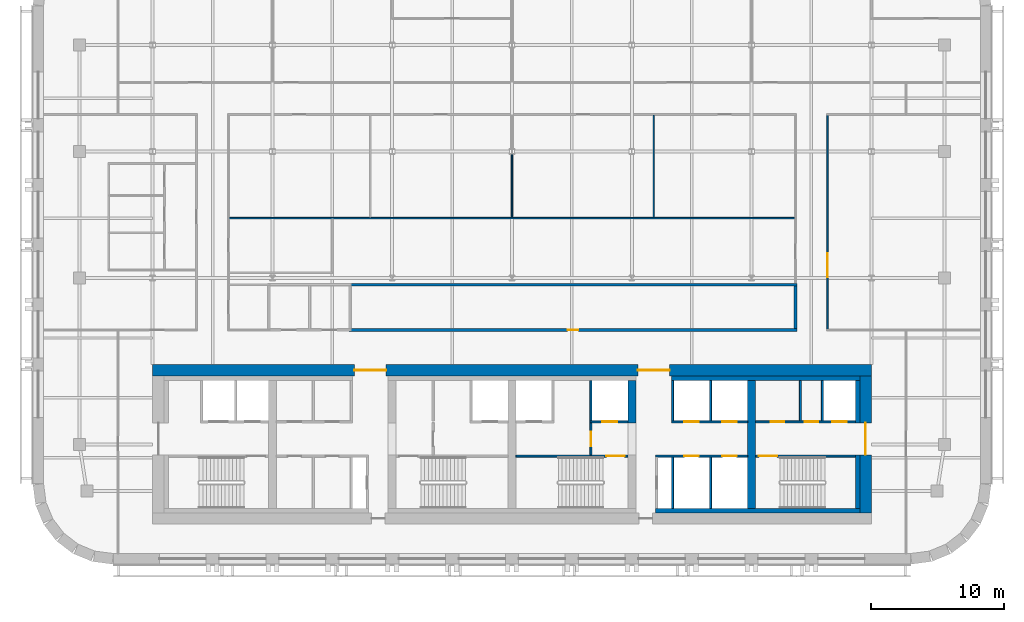
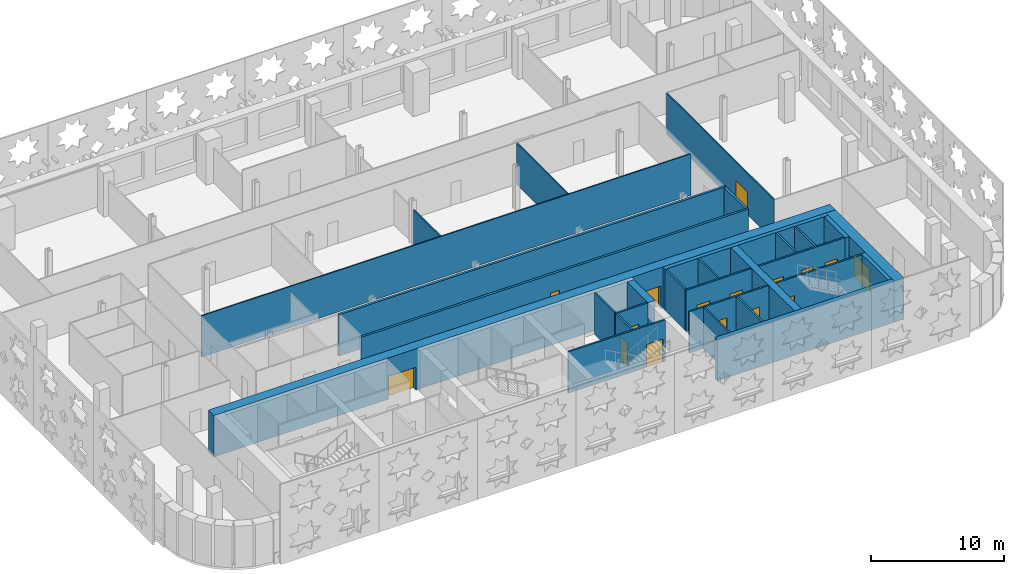
# One storey, part 5 of 12: 29 walls, 16 doors, 16 openings.
"""IFC4 building model written with IfcOpenShell, lengths in metres."""

from ifc_helpers import new_model, si_unit, direction, frame, frame_2d, origin, place, context, subcontext, project, spatial, rectangle, extrude, material, layer, layer_set, type_object, element, fill, save


model = new_model("IFC4")

# Units and contexts
model_context = context("Model", 3, precision=1e-05, world=origin(), true_north=direction((0.0, 1.0)))
body_context = subcontext(model_context, "Body", "Model", "MODEL_VIEW")
ifc_project = project(units=[si_unit("LENGTHUNIT", "METRE"), si_unit("AREAUNIT", "SQUARE_METRE"), si_unit("VOLUMEUNIT", "CUBIC_METRE"), si_unit("PLANEANGLEUNIT", "RADIAN"), si_unit("MASSUNIT", "GRAM", prefix="KILO")], contexts=[model_context])

# Site, building, storey
site_placement = place(None, origin())
site = spatial("IfcSite", under=ifc_project, at=site_placement, CompositionType="ELEMENT")
building_placement = place(site_placement, origin())
building = spatial("IfcBuilding", under=site, at=building_placement, Name="Zellij Exchange Tower", CompositionType="ELEMENT")
storey_placement = place(building_placement, frame((0.0, 0.0, 180.5)))
storey = spatial("IfcBuildingStorey", under=building, at=storey_placement, Name="L41", CompositionType="ELEMENT", Elevation=180.5)

# Walls
ifc_material_1 = material(Name="Concrete C60/75", Category="concrete")
ifc_layer_1 = layer(ifc_material_1, 0.60009765625)
ifc_layer_set_1 = layer_set([ifc_layer_1], Name="Concrete C60/75")
wall_type_1 = type_object("IfcWallType", Name="CORE-CW 600 C60/75", PredefinedType="SHEAR", material=ifc_layer_set_1)
wall_1_placement = place(storey_placement, frame((9.0, -6.375, 0.0), z_axis=(0.0, 0.0, 1.0), x_axis=(0.0, 1.0, 0.0)))
element("IfcWall", 1, at=wall_1_placement, inside=storey, type_object=wall_type_1, Name="Core cross wall pier x 9 b L41", PredefinedType="SHEAR", context=body_context, shape_type="SweptSolid", body=[
    extrude(rectangle(XDim=3.175048828125, YDim=0.60009765625, at=frame_2d((1.58740234375, 0.0))), origin(), (0.0, 0.0, 1.0), 3.800048828125),
])
wall_2_placement = place(storey_placement, frame((18.0, -12.800048828125, 0.0), z_axis=(0.0, 0.0, 1.0), x_axis=(0.0, 1.0, 0.0)))
element("IfcWall", 2, at=wall_2_placement, inside=storey, type_object=wall_type_1, Name="Core cross wall x 18 L41", PredefinedType="SHEAR", context=body_context, shape_type="SweptSolid", body=[
    extrude(rectangle(XDim=9.60009765625, YDim=0.60009765625, at=frame_2d((4.800048828125, 0.0))), origin(), (0.0, 0.0, 1.0), 3.800048828125),
])
ifc_material_2 = material(Name="Concrete C30/37", Category="concrete")
ifc_layer_2 = layer(ifc_material_2, 0.35009765625)
ifc_layer_set_2 = layer_set([ifc_layer_2], Name="Concrete C30/37")
wall_type_2 = type_object("IfcWallType", Name="CORE-LW 350 C30/37", PredefinedType="SHEAR", material=ifc_layer_set_2)
wall_3_placement = place(storey_placement, frame((12.0, -3.02490234375, 0.0), z_axis=(0.0, 0.0, 1.0), x_axis=(1.0, 0.0, 0.0)))
element("IfcWall", 3, at=wall_3_placement, inside=storey, type_object=wall_type_2, Name="Core wall lining front.2 L41", PredefinedType="SHEAR", context=body_context, shape_type="SweptSolid", body=[
    extrude(rectangle(XDim=14.14990234375, YDim=0.35009765625, at=frame_2d((7.074951171875, 0.0))), origin(), (0.0, 0.0, 1.0), 3.800048828125),
])
wall_4_placement = place(storey_placement, frame((10.800048828125, -12.97509765625, 0.0), z_axis=(0.0, 0.0, 1.0), x_axis=(1.0, 0.0, 0.0)))
element("IfcWall", 4, at=wall_4_placement, inside=storey, type_object=wall_type_2, Name="Core wall lining rear.2 L41", PredefinedType="SHEAR", context=body_context, shape_type="SweptSolid", body=[
    extrude(rectangle(XDim=15.349853515625, YDim=0.35009765625, at=frame_2d((7.6748046875, 0.0))), origin(), (0.0, 0.0, 1.0), 3.800048828125),
])
wall_5_placement = place(storey_placement, frame((25.97509765625, -12.800048828125, 0.0), z_axis=(0.0, 0.0, 1.0), x_axis=(0.0, 1.0, 0.0)))
element("IfcWall", 5, at=wall_5_placement, inside=storey, type_object=wall_type_2, Name="Core wall lining end e.0 L41", PredefinedType="SHEAR", context=body_context, shape_type="SweptSolid", body=[
    extrude(rectangle(XDim=4.0, YDim=0.35009765625, at=frame_2d((2.0, 0.0))), origin(), (0.0, 0.0, 1.0), 3.800048828125),
])
wall_6_placement = place(storey_placement, frame((25.97509765625, -6.375, 0.0), z_axis=(0.0, 0.0, 1.0), x_axis=(0.0, 1.0, 0.0)))
element("IfcWall", 6, at=wall_6_placement, inside=storey, type_object=wall_type_2, Name="Core wall lining end e.1 L41", PredefinedType="SHEAR", context=body_context, shape_type="SweptSolid", body=[
    extrude(rectangle(XDim=3.175048828125, YDim=0.35009765625, at=frame_2d((1.58740234375, 0.0))), origin(), (0.0, 0.0, 1.0), 3.800048828125),
])

# Wall, opening, door
ifc_material_3 = material(Name="Gypsum shaft wall system")
ifc_layer_3 = layer(ifc_material_3, 0.14990234375)
ifc_layer_set_3 = layer_set([ifc_layer_3], Name="Gypsum shaft wall system")
wall_type_3 = type_object("IfcWallType", Name="CORE-PW 150 Firefighting lobby wall", PredefinedType="PARTITIONING", material=ifc_layer_set_3)
wall_7_placement = place(storey_placement, frame((5.925048828125, -8.800048828125, 0.0), z_axis=(0.0, 0.0, 1.0), x_axis=(0.0, 1.0, 0.0)))
wall_7 = element("IfcWall", 7, at=wall_7_placement, inside=storey, type_object=wall_type_3, Name="Firefighting lobby wall L41", PredefinedType="PARTITIONING", context=body_context, shape_type="SweptSolid", body=[
    extrude(rectangle(XDim=2.425048828125, YDim=0.14990234375, at=frame_2d((1.21240234375, 0.0))), origin(), (0.0, 0.0, 1.0), 3.800048828125),
])
opening_1_placement = place(wall_7_placement, frame((0.662109375, 0.0, 0.0)))
opening_1 = element("IfcOpeningElement", 8, at=opening_1_placement, cuts=wall_7, Name="Opening CA-22.16", PredefinedType="OPENING", context=body_context, shape_type="SweptSolid", body=[
    extrude(rectangle(XDim=1.10009765625, YDim=2.10009765625, at=frame_2d((0.550048828125, 1.050048828125))), frame((0.0, 0.0869140625, 0.0), z_axis=(0.0, -1.0, 0.0), x_axis=(1.0, 0.0, 0.0)), (0.0, 0.0, 1.0), 0.173828125),
])
ifc_material_4 = material(Name="Hollow metal fire door")
door_type_1 = type_object("IfcDoorType", Name="CORE-D F Firefighting lobby door 1100x2100 1 HR", OperationType="NOTDEFINED", PredefinedType="DOOR", material=ifc_material_4)
door_1_placement = place(opening_1_placement, origin())
door_1 = element("IfcDoor", 9, at=door_1_placement, inside=storey, type_object=door_type_1, Name="Firefighting lobby door CA-22.16", OperationType="SINGLE_SWING_RIGHT", OverallHeight=2.10009765625, OverallWidth=1.10009765625, PredefinedType="DOOR", context=body_context, shape_type="SweptSolid", body=[
    extrude(rectangle(XDim=1.10009765625, YDim=2.10009765625, at=frame_2d((0.550048828125, 1.050048828125))), frame((0.0, 0.02490234375, 0.0), z_axis=(0.0, -1.0, 0.0), x_axis=(1.0, 0.0, 0.0)), (0.0, 0.0, 1.0), 0.050048828125),
])
fill(opening_1, door_1)

# Walls
ifc_material_5 = material(Name="Gypsum board partition")
ifc_layer_4 = layer(ifc_material_5, 0.14990234375)
ifc_layer_set_4 = layer_set([ifc_layer_4], Name="Gypsum board partition")
wall_type_4 = type_object("IfcWallType", Name="CORE-PW 150 Lift lobby wall", PredefinedType="PARTITIONING", material=ifc_layer_set_4)
wall_8_placement = place(storey_placement, frame((21.675048828125, -6.22509765625, 0.0), z_axis=(0.0, 0.0, 1.0), x_axis=(0.0, 1.0, 0.0)))
element("IfcWall", 10, at=wall_8_placement, inside=storey, type_object=wall_type_4, Name="Lift lobby wall L41", PredefinedType="PARTITIONING", context=body_context, shape_type="SweptSolid", body=[
    extrude(rectangle(XDim=3.025146484375, YDim=0.14990234375, at=frame_2d((1.5126953125, 0.0))), origin(), (0.0, 0.0, 1.0), 3.800048828125),
])
ifc_layer_5 = layer(ifc_material_3, 0.14990234375)
ifc_layer_set_5 = layer_set([ifc_layer_5], Name="Gypsum shaft wall system")
wall_type_5 = type_object("IfcWallType", Name="CORE-PW 150 Lift shaft wall", PredefinedType="PARTITIONING", material=ifc_layer_set_5)
for number, where, z_axis, x_axis, name in (
    (11, (5.925048828125, -6.22509765625, 0.0), (0.0, 0.0, 1.0), (0.0, 1.0, 0.0), "Lift shaft wall L41"),
    (12, (12.074951171875, -6.22509765625, 0.0), (0.0, 0.0, 1.0), (0.0, 1.0, 0.0), "Lift shaft wall L41"),
    (13, (14.925048828125, -6.22509765625, 0.0), (0.0, 0.0, 1.0), (0.0, 1.0, 0.0), "Lift shaft wall L41"),
    (14, (23.324951171875, -6.22509765625, 0.0), (0.0, 0.0, 1.0), (0.0, 1.0, 0.0), "Lift shaft wall L41"),
):
    element("IfcWall", number, at=place(storey_placement, frame(where, z_axis=z_axis, x_axis=x_axis)), inside=storey, type_object=wall_type_5, Name=name, PredefinedType="PARTITIONING", context=body_context, shape_type="SweptSolid", body=[
        extrude(rectangle(XDim=3.025146484375, YDim=0.14990234375, at=frame_2d((1.5126953125, 0.0))), origin(), (0.0, 0.0, 1.0), 3.800048828125),
    ])
for number, where, z_axis, x_axis, name in (
    (15, (12.074951171875, -12.800048828125, 0.0), (0.0, 0.0, 1.0), (0.0, 1.0, 0.0), "Lift shaft wall L41"),
    (16, (14.925048828125, -12.800048828125, 0.0), (0.0, 0.0, 1.0), (0.0, 1.0, 0.0), "Lift shaft wall L41"),
):
    element("IfcWall", number, at=place(storey_placement, frame(where, z_axis=z_axis, x_axis=x_axis)), inside=storey, type_object=wall_type_5, Name=name, PredefinedType="PARTITIONING", context=body_context, shape_type="SweptSolid", body=[
        extrude(rectangle(XDim=3.85009765625, YDim=0.14990234375, at=frame_2d((1.925048828125, 0.0))), origin(), (0.0, 0.0, 1.0), 3.800048828125),
    ])

# Wall, opening, door
wall_9_placement = place(storey_placement, frame((5.85009765625, -6.300048828125, 0.0), z_axis=(0.0, 0.0, 1.0), x_axis=(1.0, 0.0, 0.0)))
wall_9 = element("IfcWall", 17, at=wall_9_placement, inside=storey, type_object=wall_type_5, Name="Lift shaft wall L41", PredefinedType="PARTITIONING", context=body_context, shape_type="SweptSolid", body=[
    extrude(rectangle(XDim=2.849853515625, YDim=0.14990234375, at=frame_2d((1.4248046875, 0.0))), origin(), (0.0, 0.0, 1.0), 3.800048828125),
])
opening_2_placement = place(wall_9_placement, frame((0.949951171875, 0.0, 0.0)))
opening_2 = element("IfcOpeningElement", 18, at=opening_2_placement, cuts=wall_9, Name="Opening CA-22.17", PredefinedType="OPENING", context=body_context, shape_type="SweptSolid", body=[
    extrude(rectangle(XDim=1.10009765625, YDim=2.10009765625, at=frame_2d((0.550048828125, 1.050048828125))), frame((0.0, 0.0869140625, 0.0), z_axis=(0.0, -1.0, 0.0), x_axis=(1.0, 0.0, 0.0)), (0.0, 0.0, 1.0), 0.173828125),
])
door_type_2 = type_object("IfcDoorType", Name="CORE-D LD Lift landing door 1100x2100 1.5 HR", OperationType="NOTDEFINED", PredefinedType="DOOR", material=ifc_material_4)
door_2_placement = place(opening_2_placement, origin())
door_2 = element("IfcDoor", 19, at=door_2_placement, inside=storey, type_object=door_type_2, Name="Lift landing door CA-22.17", OperationType="SLIDING_TO_LEFT", OverallHeight=2.10009765625, OverallWidth=1.10009765625, PredefinedType="DOOR", context=body_context, shape_type="SweptSolid", body=[
    extrude(rectangle(XDim=1.10009765625, YDim=2.10009765625, at=frame_2d((0.550048828125, 1.050048828125))), frame((0.0, 0.02490234375, 0.0), z_axis=(0.0, -1.0, 0.0), x_axis=(1.0, 0.0, 0.0)), (0.0, 0.0, 1.0), 0.050048828125),
])
fill(opening_2, door_2)

# Wall, openings, doors
wall_10_placement = place(storey_placement, frame((12.0, -6.300048828125, 0.0), z_axis=(0.0, 0.0, 1.0), x_axis=(1.0, 0.0, 0.0)))
wall_10 = element("IfcWall", 20, at=wall_10_placement, inside=storey, type_object=wall_type_5, Name="Lift shaft wall L41", PredefinedType="PARTITIONING", context=body_context, shape_type="SweptSolid", body=[
    extrude(rectangle(XDim=5.699951171875, YDim=0.14990234375, at=frame_2d((2.85009765625, 0.0))), origin(), (0.0, 0.0, 1.0), 3.800048828125),
])
opening_3_placement = place(wall_10_placement, frame((0.949951171875, 0.0, 0.0)))
opening_3 = element("IfcOpeningElement", 21, at=opening_3_placement, cuts=wall_10, Name="Opening CA-22.23", PredefinedType="OPENING", context=body_context, shape_type="SweptSolid", body=[
    extrude(rectangle(XDim=1.10009765625, YDim=2.10009765625, at=frame_2d((0.550048828125, 1.050048828125))), frame((0.0, 0.0869140625, 0.0), z_axis=(0.0, -1.0, 0.0), x_axis=(1.0, 0.0, 0.0)), (0.0, 0.0, 1.0), 0.173828125),
])
opening_4_placement = place(wall_10_placement, frame((3.800048828125, 0.0, 0.0)))
opening_4 = element("IfcOpeningElement", 22, at=opening_4_placement, cuts=wall_10, Name="Opening CA-22.25", PredefinedType="OPENING", context=body_context, shape_type="SweptSolid", body=[
    extrude(rectangle(XDim=1.10009765625, YDim=2.10009765625, at=frame_2d((0.550048828125, 1.050048828125))), frame((0.0, 0.0869140625, 0.0), z_axis=(0.0, -1.0, 0.0), x_axis=(1.0, 0.0, 0.0)), (0.0, 0.0, 1.0), 0.173828125),
])
door_3_placement = place(opening_3_placement, origin())
door_3 = element("IfcDoor", 23, at=door_3_placement, inside=storey, type_object=door_type_2, Name="Lift landing door CA-22.23", OperationType="SLIDING_TO_LEFT", OverallHeight=2.10009765625, OverallWidth=1.10009765625, PredefinedType="DOOR", context=body_context, shape_type="SweptSolid", body=[
    extrude(rectangle(XDim=1.10009765625, YDim=2.10009765625, at=frame_2d((0.550048828125, 1.050048828125))), frame((0.0, 0.02490234375, 0.0), z_axis=(0.0, -1.0, 0.0), x_axis=(1.0, 0.0, 0.0)), (0.0, 0.0, 1.0), 0.050048828125),
])
fill(opening_3, door_3)
door_4_placement = place(opening_4_placement, origin())
door_4 = element("IfcDoor", 24, at=door_4_placement, inside=storey, type_object=door_type_2, Name="Lift landing door CA-22.25", OperationType="SLIDING_TO_LEFT", OverallHeight=2.10009765625, OverallWidth=1.10009765625, PredefinedType="DOOR", context=body_context, shape_type="SweptSolid", body=[
    extrude(rectangle(XDim=1.10009765625, YDim=2.10009765625, at=frame_2d((0.550048828125, 1.050048828125))), frame((0.0, 0.02490234375, 0.0), z_axis=(0.0, -1.0, 0.0), x_axis=(1.0, 0.0, 0.0)), (0.0, 0.0, 1.0), 0.050048828125),
])
fill(opening_4, door_4)

wall_11_placement = place(storey_placement, frame((18.300048828125, -6.300048828125, 0.0), z_axis=(0.0, 0.0, 1.0), x_axis=(1.0, 0.0, 0.0)))
wall_11 = element("IfcWall", 25, at=wall_11_placement, inside=storey, type_object=wall_type_5, Name="Lift shaft wall L41", PredefinedType="PARTITIONING", context=body_context, shape_type="SweptSolid", body=[
    extrude(rectangle(XDim=7.5, YDim=0.14990234375, at=frame_2d((3.75, 0.0))), origin(), (0.0, 0.0, 1.0), 3.800048828125),
])
opening_5_placement = place(wall_11_placement, frame((1.14990234375, 0.0, 0.0)))
opening_5 = element("IfcOpeningElement", 26, at=opening_5_placement, cuts=wall_11, Name="Opening CA-22.27", PredefinedType="OPENING", context=body_context, shape_type="SweptSolid", body=[
    extrude(rectangle(XDim=1.0, YDim=2.10009765625, at=frame_2d((0.5, 1.050048828125))), frame((0.0, 0.0869140625, 0.0), z_axis=(0.0, -1.0, 0.0), x_axis=(1.0, 0.0, 0.0)), (0.0, 0.0, 1.0), 0.173828125),
])
opening_6_placement = place(wall_11_placement, frame((3.699951171875, 0.0, 0.0)))
opening_6 = element("IfcOpeningElement", 27, at=opening_6_placement, cuts=wall_11, Name="Opening CA-22.28", PredefinedType="OPENING", context=body_context, shape_type="SweptSolid", body=[
    extrude(rectangle(XDim=1.0, YDim=2.10009765625, at=frame_2d((0.5, 1.050048828125))), frame((0.0, 0.0869140625, 0.0), z_axis=(0.0, -1.0, 0.0), x_axis=(1.0, 0.0, 0.0)), (0.0, 0.0, 1.0), 0.173828125),
])
opening_7_placement = place(wall_11_placement, frame((5.75, 0.0, 0.0)))
opening_7 = element("IfcOpeningElement", 28, at=opening_7_placement, cuts=wall_11, Name="Opening CA-22.29", PredefinedType="OPENING", context=body_context, shape_type="SweptSolid", body=[
    extrude(rectangle(XDim=1.10009765625, YDim=2.10009765625, at=frame_2d((0.550048828125, 1.050048828125))), frame((0.0, 0.0869140625, 0.0), z_axis=(0.0, -1.0, 0.0), x_axis=(1.0, 0.0, 0.0)), (0.0, 0.0, 1.0), 0.173828125),
])
door_type_3 = type_object("IfcDoorType", Name="CORE-D CD Core room door 1000x2100 1 HR", OperationType="NOTDEFINED", PredefinedType="DOOR", material=ifc_material_4)
door_5_placement = place(opening_5_placement, origin())
door_5 = element("IfcDoor", 29, at=door_5_placement, inside=storey, type_object=door_type_3, Name="Core room door CA-22.27", OperationType="SINGLE_SWING_LEFT", OverallHeight=2.10009765625, OverallWidth=1.0, PredefinedType="DOOR", context=body_context, shape_type="SweptSolid", body=[
    extrude(rectangle(XDim=1.0, YDim=2.10009765625, at=frame_2d((0.5, 1.050048828125))), frame((0.0, 0.02490234375, 0.0), z_axis=(0.0, -1.0, 0.0), x_axis=(1.0, 0.0, 0.0)), (0.0, 0.0, 1.0), 0.050048828125),
])
fill(opening_5, door_5)
door_6_placement = place(opening_6_placement, origin())
door_6 = element("IfcDoor", 30, at=door_6_placement, inside=storey, type_object=door_type_3, Name="Core room door CA-22.28", OperationType="SINGLE_SWING_RIGHT", OverallHeight=2.10009765625, OverallWidth=1.0, PredefinedType="DOOR", context=body_context, shape_type="SweptSolid", body=[
    extrude(rectangle(XDim=1.0, YDim=2.10009765625, at=frame_2d((0.5, 1.050048828125))), frame((0.0, 0.02490234375, 0.0), z_axis=(0.0, -1.0, 0.0), x_axis=(1.0, 0.0, 0.0)), (0.0, 0.0, 1.0), 0.050048828125),
])
fill(opening_6, door_6)
door_7_placement = place(opening_7_placement, origin())
door_7 = element("IfcDoor", 31, at=door_7_placement, inside=storey, type_object=door_type_2, Name="Lift landing door CA-22.29", OperationType="SLIDING_TO_LEFT", OverallHeight=2.10009765625, OverallWidth=1.10009765625, PredefinedType="DOOR", context=body_context, shape_type="SweptSolid", body=[
    extrude(rectangle(XDim=1.10009765625, YDim=2.10009765625, at=frame_2d((0.550048828125, 1.050048828125))), frame((0.0, 0.02490234375, 0.0), z_axis=(0.0, -1.0, 0.0), x_axis=(1.0, 0.0, 0.0)), (0.0, 0.0, 1.0), 0.050048828125),
])
fill(opening_7, door_7)

wall_12_placement = place(storey_placement, frame((10.800048828125, -8.875, 0.0), z_axis=(0.0, 0.0, 1.0), x_axis=(1.0, 0.0, 0.0)))
wall_12 = element("IfcWall", 32, at=wall_12_placement, inside=storey, type_object=wall_type_5, Name="Lift shaft wall L41", PredefinedType="PARTITIONING", context=body_context, shape_type="SweptSolid", body=[
    extrude(rectangle(XDim=6.89990234375, YDim=0.14990234375, at=frame_2d((3.449951171875, 0.0))), origin(), (0.0, 0.0, 1.0), 3.800048828125),
])
opening_8_placement = place(wall_12_placement, frame((2.14990234375, 0.0, 0.0)))
opening_8 = element("IfcOpeningElement", 33, at=opening_8_placement, cuts=wall_12, Name="Opening CA-22.22", PredefinedType="OPENING", context=body_context, shape_type="SweptSolid", body=[
    extrude(rectangle(XDim=1.10009765625, YDim=2.10009765625, at=frame_2d((0.550048828125, 1.050048828125))), frame((0.0, 0.0869140625, 0.0), z_axis=(0.0, -1.0, 0.0), x_axis=(1.0, 0.0, 0.0)), (0.0, 0.0, 1.0), 0.173828125),
])
opening_9_placement = place(wall_12_placement, frame((5.0, 0.0, 0.0)))
opening_9 = element("IfcOpeningElement", 34, at=opening_9_placement, cuts=wall_12, Name="Opening CA-22.24", PredefinedType="OPENING", context=body_context, shape_type="SweptSolid", body=[
    extrude(rectangle(XDim=1.10009765625, YDim=2.10009765625, at=frame_2d((0.550048828125, 1.050048828125))), frame((0.0, 0.0869140625, 0.0), z_axis=(0.0, -1.0, 0.0), x_axis=(1.0, 0.0, 0.0)), (0.0, 0.0, 1.0), 0.173828125),
])
door_8_placement = place(opening_8_placement, origin())
door_8 = element("IfcDoor", 35, at=door_8_placement, inside=storey, type_object=door_type_2, Name="Lift landing door CA-22.22", OperationType="SLIDING_TO_RIGHT", OverallHeight=2.10009765625, OverallWidth=1.10009765625, PredefinedType="DOOR", context=body_context, shape_type="SweptSolid", body=[
    extrude(rectangle(XDim=1.10009765625, YDim=2.10009765625, at=frame_2d((0.550048828125, 1.050048828125))), frame((0.0, 0.02490234375, 0.0), z_axis=(0.0, -1.0, 0.0), x_axis=(1.0, 0.0, 0.0)), (0.0, 0.0, 1.0), 0.050048828125),
])
fill(opening_8, door_8)
door_9_placement = place(opening_9_placement, origin())
door_9 = element("IfcDoor", 36, at=door_9_placement, inside=storey, type_object=door_type_2, Name="Lift landing door CA-22.24", OperationType="SLIDING_TO_RIGHT", OverallHeight=2.10009765625, OverallWidth=1.10009765625, PredefinedType="DOOR", context=body_context, shape_type="SweptSolid", body=[
    extrude(rectangle(XDim=1.10009765625, YDim=2.10009765625, at=frame_2d((0.550048828125, 1.050048828125))), frame((0.0, 0.02490234375, 0.0), z_axis=(0.0, -1.0, 0.0), x_axis=(1.0, 0.0, 0.0)), (0.0, 0.0, 1.0), 0.050048828125),
])
fill(opening_9, door_9)

ifc_layer_6 = layer(ifc_material_1, 0.85009765625)
ifc_layer_set_6 = layer_set([ifc_layer_6], Name="Concrete C60/75")
wall_type_6 = type_object("IfcWallType", Name="CORE-SW 850 C60/75", PredefinedType="SHEAR", material=ifc_layer_set_6)
wall_13_placement = place(storey_placement, frame((-27.0, -2.425048828125, 0.0), z_axis=(0.0, 0.0, 1.0), x_axis=(1.0, 0.0, 0.0)))
wall_13 = element("IfcWall", 37, at=wall_13_placement, inside=storey, type_object=wall_type_6, Name="Core shear wall front L41", PredefinedType="SHEAR", context=body_context, shape_type="SweptSolid", body=[
    extrude(rectangle(XDim=54.0, YDim=0.85009765625, at=frame_2d((27.0, 0.0))), origin(), (0.0, 0.0, 1.0), 3.800048828125),
])
opening_10_placement = place(wall_13_placement, frame((15.14990234375, 0.0, 0.0)))
opening_10 = element("IfcOpeningElement", 38, at=opening_10_placement, cuts=wall_13, Name="Opening CA-22.10", PredefinedType="OPENING", context=body_context, shape_type="SweptSolid", body=[
    extrude(rectangle(XDim=2.39990234375, YDim=2.10009765625, at=frame_2d((1.199951171875, 1.050048828125))), frame((0.0, 0.43701171875, 0.0), z_axis=(0.0, -1.0, 0.0), x_axis=(1.0, 0.0, 0.0)), (0.0, 0.0, 1.0), 0.8740234375),
])
opening_11_placement = place(wall_13_placement, frame((36.449951171875, 0.0, 0.0)))
opening_11 = element("IfcOpeningElement", 39, at=opening_11_placement, cuts=wall_13, Name="Opening CA-22.20", PredefinedType="OPENING", context=body_context, shape_type="SweptSolid", body=[
    extrude(rectangle(XDim=2.39990234375, YDim=2.10009765625, at=frame_2d((1.199951171875, 1.050048828125))), frame((0.0, 0.43701171875, 0.0), z_axis=(0.0, -1.0, 0.0), x_axis=(1.0, 0.0, 0.0)), (0.0, 0.0, 1.0), 0.8740234375),
])
door_type_4 = type_object("IfcDoorType", Name="CORE-D CE Core entrance door 2400x2100 20 MIN", OperationType="NOTDEFINED", PredefinedType="DOOR", material=ifc_material_4)
door_10_placement = place(opening_10_placement, origin())
door_10 = element("IfcDoor", 40, at=door_10_placement, inside=storey, type_object=door_type_4, Name="Core entrance door CA-22.10", OperationType="DOUBLE_DOOR_SINGLE_SWING", OverallHeight=2.10009765625, OverallWidth=2.39990234375, PredefinedType="DOOR", context=body_context, shape_type="SweptSolid", body=[
    extrude(rectangle(XDim=2.39990234375, YDim=2.10009765625, at=frame_2d((1.199951171875, 1.050048828125))), frame((0.0, 0.02490234375, 0.0), z_axis=(0.0, -1.0, 0.0), x_axis=(1.0, 0.0, 0.0)), (0.0, 0.0, 1.0), 0.050048828125),
])
fill(opening_10, door_10)
door_11_placement = place(opening_11_placement, origin())
door_11 = element("IfcDoor", 41, at=door_11_placement, inside=storey, type_object=door_type_4, Name="Core entrance door CA-22.20", OperationType="DOUBLE_DOOR_SINGLE_SWING", OverallHeight=2.10009765625, OverallWidth=2.39990234375, PredefinedType="DOOR", context=body_context, shape_type="SweptSolid", body=[
    extrude(rectangle(XDim=2.39990234375, YDim=2.10009765625, at=frame_2d((1.199951171875, 1.050048828125))), frame((0.0, 0.02490234375, 0.0), z_axis=(0.0, -1.0, 0.0), x_axis=(1.0, 0.0, 0.0)), (0.0, 0.0, 1.0), 0.050048828125),
])
fill(opening_11, door_11)

# Wall, opening, door
wall_14_placement = place(storey_placement, frame((26.574951171875, -13.14990234375, 0.0), z_axis=(0.0, 0.0, 1.0), x_axis=(0.0, 1.0, 0.0)))
wall_14 = element("IfcWall", 42, at=wall_14_placement, inside=storey, type_object=wall_type_6, Name="Core shear wall end e L41", PredefinedType="SHEAR", context=body_context, shape_type="SweptSolid", body=[
    extrude(rectangle(XDim=10.2998046875, YDim=0.85009765625, at=frame_2d((5.14990234375, 0.0))), origin(), (0.0, 0.0, 1.0), 3.800048828125),
])
opening_12_placement = place(wall_14_placement, frame((4.362060546875, 0.0, 0.0)))
opening_12 = element("IfcOpeningElement", 43, at=opening_12_placement, cuts=wall_14, Name="Opening CA-22.30", PredefinedType="OPENING", context=body_context, shape_type="SweptSolid", body=[
    extrude(rectangle(XDim=2.39990234375, YDim=2.10009765625, at=frame_2d((1.199951171875, 1.050048828125))), frame((0.0, 0.43701171875, 0.0), z_axis=(0.0, -1.0, 0.0), x_axis=(1.0, 0.0, 0.0)), (0.0, 0.0, 1.0), 0.8740234375),
])
door_12_placement = place(opening_12_placement, origin())
door_12 = element("IfcDoor", 44, at=door_12_placement, inside=storey, type_object=door_type_4, Name="Core entrance door CA-22.30", OperationType="DOUBLE_DOOR_SINGLE_SWING", OverallHeight=2.10009765625, OverallWidth=2.39990234375, PredefinedType="DOOR", context=body_context, shape_type="SweptSolid", body=[
    extrude(rectangle(XDim=2.39990234375, YDim=2.10009765625, at=frame_2d((1.199951171875, 1.050048828125))), frame((0.0, 0.02490234375, 0.0), z_axis=(0.0, -1.0, 0.0), x_axis=(1.0, 0.0, 0.0)), (0.0, 0.0, 1.0), 0.050048828125),
])
fill(opening_12, door_12)

ifc_layer_7 = layer(ifc_material_1, 0.14990234375)
ifc_layer_set_7 = layer_set([ifc_layer_7], Name="Concrete C60/75")
wall_type_7 = type_object("IfcWallType", Name="CORE-SWS 150 C60/75", PredefinedType="SHEAR", material=ifc_layer_set_7)
wall_15_placement = place(storey_placement, frame((0.300048828125, -8.875, 0.0), z_axis=(0.0, 0.0, 1.0), x_axis=(1.0, 0.0, 0.0)))
wall_15 = element("IfcWall", 45, at=wall_15_placement, inside=storey, type_object=wall_type_7, Name="Stair enclosure wall L41", PredefinedType="SHEAR", context=body_context, shape_type="SweptSolid", body=[
    extrude(rectangle(XDim=8.39990234375, YDim=0.14990234375, at=frame_2d((4.199951171875, 0.0))), origin(), (0.0, 0.0, 1.0), 3.800048828125),
])
opening_13_placement = place(wall_15_placement, frame((6.77490234375, 0.0, 0.0)))
opening_13 = element("IfcOpeningElement", 46, at=opening_13_placement, cuts=wall_15, Name="Opening CA-22.18", PredefinedType="OPENING", context=body_context, shape_type="SweptSolid", body=[
    extrude(rectangle(XDim=1.39990234375, YDim=2.10009765625, at=frame_2d((0.699951171875, 1.050048828125))), frame((0.0, 0.0869140625, 0.0), z_axis=(0.0, -1.0, 0.0), x_axis=(1.0, 0.0, 0.0)), (0.0, 0.0, 1.0), 0.173828125),
])
door_type_5 = type_object("IfcDoorType", Name="CORE-D SD Stair door 1400x2100 1.5 HR", OperationType="NOTDEFINED", PredefinedType="DOOR", material=ifc_material_4)
door_13_placement = place(opening_13_placement, origin())
door_13 = element("IfcDoor", 47, at=door_13_placement, inside=storey, type_object=door_type_5, Name="Stair door CA-22.18", OperationType="DOUBLE_DOOR_SINGLE_SWING", OverallHeight=2.10009765625, OverallWidth=1.39990234375, PredefinedType="DOOR", context=body_context, shape_type="SweptSolid", body=[
    extrude(rectangle(XDim=1.39990234375, YDim=2.10009765625, at=frame_2d((0.699951171875, 1.050048828125))), frame((0.0, 0.02490234375, 0.0), z_axis=(0.0, -1.0, 0.0), x_axis=(1.0, 0.0, 0.0)), (0.0, 0.0, 1.0), 0.050048828125),
])
fill(opening_13, door_13)

wall_16_placement = place(storey_placement, frame((18.300048828125, -8.875, 0.0), z_axis=(0.0, 0.0, 1.0), x_axis=(1.0, 0.0, 0.0)))
wall_16 = element("IfcWall", 48, at=wall_16_placement, inside=storey, type_object=wall_type_7, Name="Stair enclosure wall L41", PredefinedType="SHEAR", context=body_context, shape_type="SweptSolid", body=[
    extrude(rectangle(XDim=7.5, YDim=0.14990234375, at=frame_2d((3.75, 0.0))), origin(), (0.0, 0.0, 1.0), 3.800048828125),
])
opening_14_placement = place(wall_16_placement, frame((0.22509765625, 0.0, 0.0)))
opening_14 = element("IfcOpeningElement", 49, at=opening_14_placement, cuts=wall_16, Name="Opening CA-22.26", PredefinedType="OPENING", context=body_context, shape_type="SweptSolid", body=[
    extrude(rectangle(XDim=1.39990234375, YDim=2.10009765625, at=frame_2d((0.699951171875, 1.050048828125))), frame((0.0, 0.0869140625, 0.0), z_axis=(0.0, -1.0, 0.0), x_axis=(1.0, 0.0, 0.0)), (0.0, 0.0, 1.0), 0.173828125),
])
door_14_placement = place(opening_14_placement, origin())
door_14 = element("IfcDoor", 50, at=door_14_placement, inside=storey, type_object=door_type_5, Name="Stair door CA-22.26", OperationType="DOUBLE_DOOR_SINGLE_SWING", OverallHeight=2.10009765625, OverallWidth=1.39990234375, PredefinedType="DOOR", context=body_context, shape_type="SweptSolid", body=[
    extrude(rectangle(XDim=1.39990234375, YDim=2.10009765625, at=frame_2d((0.699951171875, 1.050048828125))), frame((0.0, 0.02490234375, 0.0), z_axis=(0.0, -1.0, 0.0), x_axis=(1.0, 0.0, 0.0)), (0.0, 0.0, 1.0), 0.050048828125),
])
fill(opening_14, door_14)

ifc_material_6 = material(Name="Blockwork partition", Category="masonry")
ifc_layer_8 = layer(ifc_material_6, 0.199951171875)
ifc_layer_set_8 = layer_set([ifc_layer_8], Name="Blockwork partition")
wall_type_8 = type_object("IfcWallType", Name="FIT-BLOCKWORK-200", PredefinedType="PARTITIONING", material=ifc_layer_set_8)
wall_17_placement = place(storey_placement, frame((-12.2451171875, 0.60009765625, 0.0), z_axis=(0.0, 0.0, 1.0), x_axis=(1.0, 0.0, 0.0)))
wall_17 = element("IfcWall", 51, at=wall_17_placement, inside=storey, type_object=wall_type_8, Name="FIT-BLOCKWORK-200 010", PredefinedType="PARTITIONING", context=body_context, shape_type="SweptSolid", body=[
    extrude(rectangle(XDim=33.64501953125, YDim=0.199951171875, at=frame_2d((16.822509765625, 0.0))), origin(), (0.0, 0.0, 1.0), 3.800048828125),
])
opening_15_placement = place(wall_17_placement, frame((16.424072265625, 0.0, 0.0)))
opening_15 = element("IfcOpeningElement", 52, at=opening_15_placement, cuts=wall_17, Name="Opening O3B.06", PredefinedType="OPENING", context=body_context, shape_type="SweptSolid", body=[
    extrude(rectangle(XDim=0.800048828125, YDim=2.10009765625, at=frame_2d((0.39990234375, 1.050048828125))), frame((0.0, 0.11181640625, 0.0), z_axis=(0.0, -1.0, 0.0), x_axis=(1.0, 0.0, 0.0)), (0.0, 0.0, 1.0), 0.223876953125),
])
ifc_material_7 = material(Name="Timber door set", Category="wood")
door_type_6 = type_object("IfcDoorType", Name="FIT-D6-SERVICE-800X2100", OperationType="SINGLE_SWING_LEFT", PredefinedType="DOOR", material=ifc_material_7)
door_15_placement = place(opening_15_placement, origin())
door_15 = element("IfcDoor", 53, at=door_15_placement, inside=storey, type_object=door_type_6, Name="Door O3B.06", OperationType="SINGLE_SWING_LEFT", OverallHeight=2.10009765625, OverallWidth=0.800048828125, PredefinedType="DOOR", context=body_context, shape_type="SweptSolid", body=[
    extrude(rectangle(XDim=0.800048828125, YDim=2.10009765625, at=frame_2d((0.39990234375, 1.050048828125))), frame((0.0, 0.02490234375, 0.0), z_axis=(0.0, -1.0, 0.0), x_axis=(1.0, 0.0, 0.0)), (0.0, 0.0, 1.0), 0.050048828125),
])
fill(opening_15, door_15)

# Walls
wall_18_placement = place(storey_placement, frame((21.300048828125, 0.699951171875, 0.0), z_axis=(0.0, 0.0, 1.0), x_axis=(0.0, 1.0, 0.0)))
element("IfcWall", 54, at=wall_18_placement, inside=storey, type_object=wall_type_8, Name="FIT-BLOCKWORK-200 012", PredefinedType="PARTITIONING", context=body_context, shape_type="SweptSolid", body=[
    extrude(rectangle(XDim=3.199951171875, YDim=0.199951171875, at=frame_2d((1.60009765625, 0.0))), origin(), (0.0, 0.0, 1.0), 3.800048828125),
])
wall_19_placement = place(storey_placement, frame((-12.2451171875, 4.0, 0.0), z_axis=(0.0, 0.0, 1.0), x_axis=(1.0, 0.0, 0.0)))
element("IfcWall", 55, at=wall_19_placement, inside=storey, type_object=wall_type_8, Name="FIT-BLOCKWORK-200 017", PredefinedType="PARTITIONING", context=body_context, shape_type="SweptSolid", body=[
    extrude(rectangle(XDim=33.64501953125, YDim=0.199951171875, at=frame_2d((16.822509765625, 0.0))), origin(), (0.0, 0.0, 1.0), 3.800048828125),
])

# Wall, opening, door
ifc_material_8 = material(Name="Gypsum board partition on steel studs", Category="steel")
ifc_layer_9 = layer(ifc_material_8, 0.10009765625)
ifc_layer_set_9 = layer_set([ifc_layer_9], Name="Gypsum board partition on steel studs")
wall_type_9 = type_object("IfcWallType", Name="FIT-PARTITION-100", PredefinedType="PARTITIONING", material=ifc_layer_set_9)
wall_20_placement = place(storey_placement, frame((23.699951171875, 0.64990234375, 0.0), z_axis=(0.0, 0.0, 1.0), x_axis=(0.0, 1.0, 0.0)))
wall_20 = element("IfcWall", 56, at=wall_20_placement, inside=storey, type_object=wall_type_9, Name="FIT-PARTITION-100 014", PredefinedType="PARTITIONING", context=body_context, shape_type="SweptSolid", body=[
    extrude(rectangle(XDim=16.10009765625, YDim=0.10009765625, at=frame_2d((8.050048828125, 0.0))), origin(), (0.0, 0.0, 1.0), 3.800048828125),
])
opening_16_placement = place(wall_20_placement, frame((3.89990234375, 0.0, 0.0)))
opening_16 = element("IfcOpeningElement", 57, at=opening_16_placement, cuts=wall_20, Name="Opening O3B.08", PredefinedType="OPENING", context=body_context, shape_type="SweptSolid", body=[
    extrude(rectangle(XDim=1.800048828125, YDim=2.10009765625, at=frame_2d((0.89990234375, 1.050048828125))), frame((0.0, 0.06201171875, 0.0), z_axis=(0.0, -1.0, 0.0), x_axis=(1.0, 0.0, 0.0)), (0.0, 0.0, 1.0), 0.1240234375),
])
door_type_7 = type_object("IfcDoorType", Name="FIT-D3-DOUBLE-1800X2100", OperationType="DOUBLE_DOOR_SINGLE_SWING", PredefinedType="DOOR", material=ifc_material_7)
door_16_placement = place(opening_16_placement, origin())
door_16 = element("IfcDoor", 58, at=door_16_placement, inside=storey, type_object=door_type_7, Name="Door O3B.08", OperationType="DOUBLE_DOOR_SINGLE_SWING", OverallHeight=2.10009765625, OverallWidth=1.800048828125, PredefinedType="DOOR", context=body_context, shape_type="SweptSolid", body=[
    extrude(rectangle(XDim=1.800048828125, YDim=2.10009765625, at=frame_2d((0.89990234375, 1.050048828125))), frame((0.0, 0.02490234375, 0.0), z_axis=(0.0, -1.0, 0.0), x_axis=(1.0, 0.0, 0.0)), (0.0, 0.0, 1.0), 0.050048828125),
])
fill(opening_16, door_16)

# Walls
wall_21_placement = place(storey_placement, frame((-21.25, 9.0, 0.0), z_axis=(0.0, 0.0, 1.0), x_axis=(1.0, 0.0, 0.0)))
element("IfcWall", 59, at=wall_21_placement, inside=storey, type_object=wall_type_9, Name="FIT-PARTITION-100 025", PredefinedType="PARTITIONING", context=body_context, shape_type="SweptSolid", body=[
    extrude(rectangle(XDim=42.5, YDim=0.10009765625, at=frame_2d((21.25, 0.0))), origin(), (0.0, 0.0, 1.0), 3.800048828125),
])
wall_22_placement = place(storey_placement, frame((0.0, 9.050048828125, 0.0), z_axis=(0.0, 0.0, 1.0), x_axis=(0.0, 1.0, 0.0)))
element("IfcWall", 60, at=wall_22_placement, inside=storey, type_object=wall_type_9, Name="FIT-PARTITION-100 027", PredefinedType="PARTITIONING", context=body_context, shape_type="SweptSolid", body=[
    extrude(rectangle(XDim=4.73779296875, YDim=0.10009765625, at=frame_2d((2.368896484375, 0.0))), origin(), (0.0, 0.0, 1.0), 3.19287109375),
])
wall_23_placement = place(storey_placement, frame((10.64990234375, 9.050048828125, 0.0), z_axis=(0.0, 0.0, 1.0), x_axis=(0.0, 1.0, 0.0)))
element("IfcWall", 61, at=wall_23_placement, inside=storey, type_object=wall_type_9, Name="FIT-PARTITION-100 029", PredefinedType="PARTITIONING", context=body_context, shape_type="SweptSolid", body=[
    extrude(rectangle(XDim=7.699951171875, YDim=0.10009765625, at=frame_2d((3.85009765625, 0.0))), origin(), (0.0, 0.0, 1.0), 3.800048828125),
])

save(model, "model.ifc")
